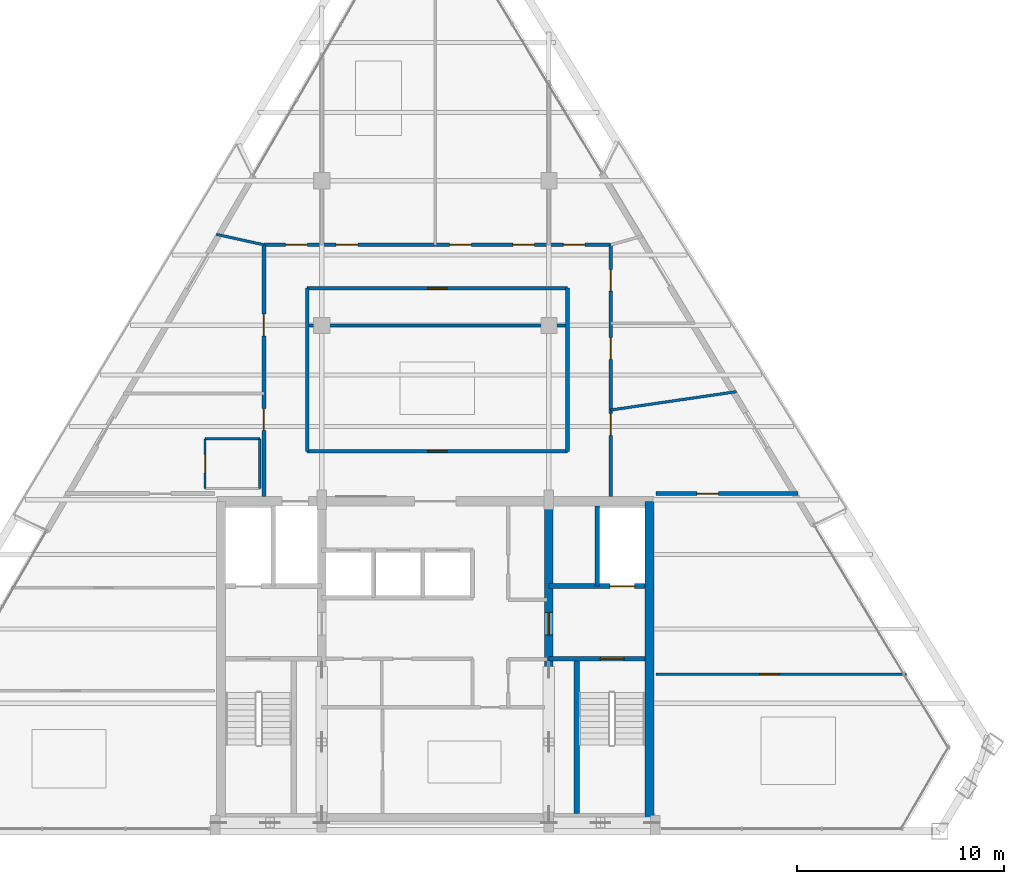
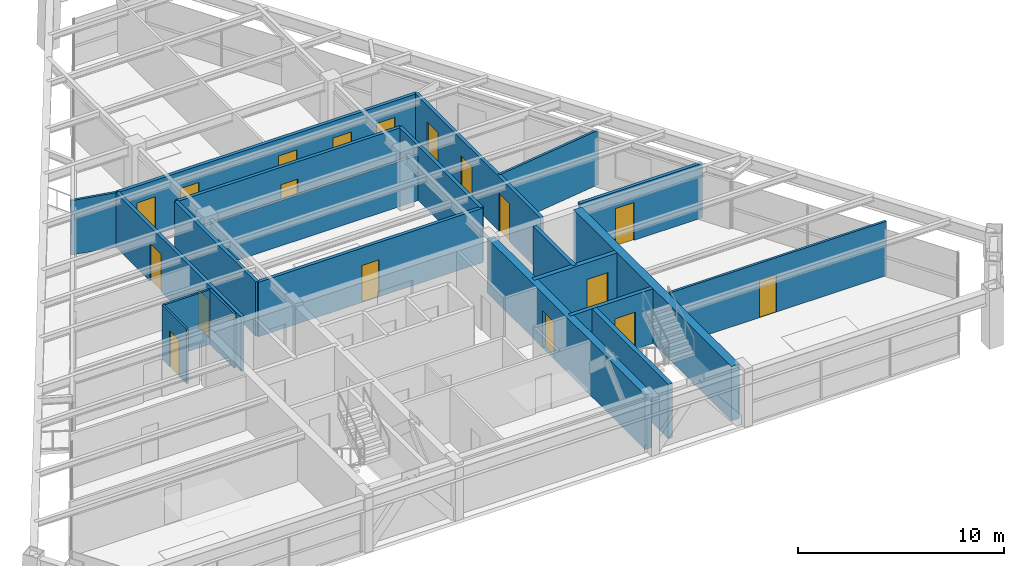
# One storey, part 10 of 13: 21 walls, 18 doors, 18 openings.
"""IFC4 building model written with IfcOpenShell, lengths in metres."""

from ifc_helpers import new_model, si_unit, direction, frame, frame_2d, origin, place, context, subcontext, project, spatial, rectangle, extrude, source, transform, mapped, material, layer, layer_set, type_object, type_shapes, element, fill, save


model = new_model("IFC4")

# Units and contexts
model_context = context("Model", 3, precision=1e-05, world=origin(), true_north=direction((0.0, 1.0)))
body_context = subcontext(model_context, "Body", "Model", "MODEL_VIEW")
ifc_project = project(units=[si_unit("LENGTHUNIT", "METRE"), si_unit("AREAUNIT", "SQUARE_METRE"), si_unit("VOLUMEUNIT", "CUBIC_METRE"), si_unit("PLANEANGLEUNIT", "RADIAN"), si_unit("MASSUNIT", "GRAM", prefix="KILO")], contexts=[model_context])

# Site, building, storey
site_placement = place(None, origin())
site = spatial("IfcSite", under=ifc_project, at=site_placement, CompositionType="ELEMENT")
building_placement = place(site_placement, origin())
building = spatial("IfcBuilding", under=site, at=building_placement, Name="Varnakhor Terracotta Tower", CompositionType="ELEMENT")
storey_placement = place(building_placement, frame((0.0, 0.0, 262.64990234375)))
storey = spatial("IfcBuildingStorey", under=building, at=storey_placement, Name="L68", CompositionType="ELEMENT", Elevation=262.64990234375)

# Wall
ifc_material_1 = material(Name="Moisture-Resistant Tile-Backed Partition", Category="gypsum")
ifc_layer_1 = layer(ifc_material_1, 0.114990234375, Name="Moisture-Resistant Tile-Backed Partition")
ifc_layer_set_1 = layer_set([ifc_layer_1], Name="Moisture-Resistant Tile-Backed Partition")
wall_type_1 = type_object("IfcWallType", Name="WAL-BATH-115", PredefinedType="PARTITIONING", material=ifc_layer_set_1)
wall_1_placement = place(storey_placement, frame((-11.14990234375, 19.0, 0.0), z_axis=(0.0, 0.0, 1.0), x_axis=(1.0, 0.0, 0.0)))
element("IfcWall", 1, at=wall_1_placement, inside=storey, type_object=wall_type_1, Name="L68 En-Suite 1 Wall N", PredefinedType="PARTITIONING", context=body_context, shape_type="SweptSolid", body=[
    extrude(rectangle(XDim=2.64990234375, YDim=0.114990234375, at=frame_2d((1.324951171875, 0.0))), origin(), (0.0, 0.0, 1.0), 3.232177734375),
])

# Wall, opening, door
wall_2_placement = place(storey_placement, frame((-11.14990234375, 16.60009765625, 0.0), z_axis=(0.0, 0.0, 1.0), x_axis=(0.0, 1.0, 0.0)))
wall_2 = element("IfcWall", 2, at=wall_2_placement, inside=storey, type_object=wall_type_1, Name="L68 En-Suite 1 Wall W", PredefinedType="PARTITIONING", context=body_context, shape_type="SweptSolid", body=[
    extrude(rectangle(XDim=2.39990234375, YDim=0.114990234375, at=frame_2d((1.199951171875, 0.0))), origin(), (0.0, 0.0, 1.0), 3.232177734375),
])
opening_1_placement = place(wall_2_placement, frame((0.75, 0.0, 0.0)))
opening_1 = element("IfcOpeningElement", 3, at=opening_1_placement, cuts=wall_2, Name="Opening DR-93", PredefinedType="OPENING", context=body_context, shape_type="SweptSolid", body=[
    extrude(rectangle(XDim=0.89990234375, YDim=2.14990234375, at=frame_2d((0.449951171875, 1.074951171875))), frame((0.0, 0.0673828125, 0.0), z_axis=(0.0, -1.0, 0.0), x_axis=(1.0, 0.0, 0.0)), (0.0, 0.0, 1.0), 0.135009765625),
])
ifc_material_2 = material(Name="Moisture-Resistant Accessible Bathroom Door", Category="wood")
door_type_1 = type_object("IfcDoorType", Name="DR-BATH-900X2150", OperationType="NOTDEFINED", PredefinedType="DOOR", material=ifc_material_2)
shared_shape_1 = source(origin(), body_context, "Body", "SweptSolid", [
    extrude(rectangle(XDim=0.89990234375, YDim=2.14990234375, at=frame_2d((0.449951171875, 1.074951171875))), frame((0.0, 0.02490234375, 0.0), z_axis=(0.0, -1.0, 0.0), x_axis=(1.0, 0.0, 0.0)), (0.0, 0.0, 1.0), 0.050048828125),
])
type_shapes(door_type_1, [shared_shape_1])
door_1_placement = place(opening_1_placement, origin())
door_1 = element("IfcDoor", 4, at=door_1_placement, inside=storey, type_object=door_type_1, Name="L68 En-Suite Bathroom 1 Door", OperationType="SINGLE_SWING_LEFT", OverallHeight=2.14990234375, OverallWidth=0.89990234375, PredefinedType="DOOR", context=body_context, shape_type="MappedRepresentation", body=[
    mapped(shared_shape_1, transform((0.0, 0.0, 0.0), scale=1.0)),
])
fill(opening_1, door_1)

# Walls
wall_3_placement = place(storey_placement, frame((-8.5, 16.60009765625, 0.0), z_axis=(0.0, 0.0, 1.0), x_axis=(0.0, 1.0, 0.0)))
element("IfcWall", 5, at=wall_3_placement, inside=storey, type_object=wall_type_1, Name="L68 En-Suite 1 Wall E", PredefinedType="PARTITIONING", context=body_context, shape_type="SweptSolid", body=[
    extrude(rectangle(XDim=2.39990234375, YDim=0.114990234375, at=frame_2d((1.199951171875, 0.0))), origin(), (0.0, 0.0, 1.0), 3.232177734375),
])
ifc_material_3 = material(Name="Concrete C50/60", Category="concrete")
ifc_layer_2 = layer(ifc_material_3, 0.449951171875, Name="Concrete C50/60")
ifc_layer_set_2 = layer_set([ifc_layer_2], Name="Concrete C50/60")
wall_type_2 = type_object("IfcWallType", Name="WAL-CORE-450", PredefinedType="SHEAR", material=ifc_layer_set_2)
wall_4_placement = place(storey_placement, frame((10.375, 0.625, 0.0), z_axis=(0.0, 0.0, 1.0), x_axis=(0.0, 1.0, 0.0)))
element("IfcWall", 6, at=wall_4_placement, inside=storey, type_object=wall_type_2, Name="L68 East Core Shear Wall", PredefinedType="SHEAR", context=body_context, shape_type="SweptSolid", body=[
    extrude(rectangle(XDim=15.35009765625, YDim=0.449951171875, at=frame_2d((7.675048828125, 0.0))), origin(), (0.0, 0.0, 1.0), 3.239990234375),
])

# Wall, opening, door
ifc_layer_3 = layer(ifc_material_3, 0.39990234375, Name="Concrete C50/60")
ifc_layer_set_3 = layer_set([ifc_layer_3], Name="Concrete C50/60")
wall_type_3 = type_object("IfcWallType", Name="WAL-CORE-WEB-400", PredefinedType="SHEAR", material=ifc_layer_set_3)
wall_5_placement = place(storey_placement, frame((5.5, 0.625, 0.0), z_axis=(0.0, 0.0, 1.0), x_axis=(0.0, 1.0, 0.0)))
wall_5 = element("IfcWall", 7, at=wall_5_placement, inside=storey, type_object=wall_type_3, Name="L68 East Core Web Shear Wall", PredefinedType="SHEAR", context=body_context, shape_type="SweptSolid", body=[
    extrude(rectangle(XDim=15.35009765625, YDim=0.39990234375, at=frame_2d((7.675048828125, 0.0))), origin(), (0.0, 0.0, 1.0), 3.239990234375),
])
opening_2_placement = place(wall_5_placement, frame((8.875, 0.0, 0.0)))
opening_2 = element("IfcOpeningElement", 8, at=opening_2_placement, cuts=wall_5, Name="Opening DR-25", PredefinedType="OPENING", context=body_context, shape_type="SweptSolid", body=[
    extrude(rectangle(XDim=1.10009765625, YDim=2.199951171875, at=frame_2d((0.550048828125, 1.10009765625))), frame((0.0, 0.2099609375, 0.0), z_axis=(0.0, -1.0, 0.0), x_axis=(1.0, 0.0, 0.0)), (0.0, 0.0, 1.0), 0.419921875),
])
ifc_material_4 = material(Name="Firefighting Lobby Self-Closing Fire Door", Category="steel")
door_type_2 = type_object("IfcDoorType", Name="DR-FFL-1100X2200", OperationType="NOTDEFINED", PredefinedType="DOOR", material=ifc_material_4)
shared_shape_2 = source(origin(), body_context, "Body", "SweptSolid", [
    extrude(rectangle(XDim=1.10009765625, YDim=2.199951171875, at=frame_2d((0.550048828125, 1.10009765625))), frame((0.0, 0.02490234375, 0.0), z_axis=(0.0, -1.0, 0.0), x_axis=(1.0, 0.0, 0.0)), (0.0, 0.0, 1.0), 0.050048828125),
])
type_shapes(door_type_2, [shared_shape_2])
door_2_placement = place(opening_2_placement, origin())
door_2 = element("IfcDoor", 9, at=door_2_placement, inside=storey, type_object=door_type_2, Name="L68 East Firefighting Lobby Door", OperationType="SINGLE_SWING_RIGHT", OverallHeight=2.199951171875, OverallWidth=1.10009765625, PredefinedType="DOOR", context=body_context, shape_type="MappedRepresentation", body=[
    mapped(shared_shape_2, transform((0.0, 0.0, 0.0), scale=1.0)),
])
fill(opening_2, door_2)

ifc_material_5 = material(Name="Fire-Rated Gypsum Stud Partition", Category="gypsum")
ifc_layer_4 = layer(ifc_material_5, 0.18505859375, Name="Fire-Rated Gypsum Stud Partition")
ifc_layer_set_4 = layer_set([ifc_layer_4], Name="Fire-Rated Gypsum Stud Partition")
wall_type_4 = type_object("IfcWallType", Name="WAL-CORR-185", PredefinedType="PARTITIONING", material=ifc_layer_set_4)
wall_6_placement = place(storey_placement, frame((-6.199951171875, 18.39990234375, 0.0), z_axis=(0.0, 0.0, 1.0), x_axis=(1.0, 0.0, 0.0)))
wall_6 = element("IfcWall", 10, at=wall_6_placement, inside=storey, type_object=wall_type_4, Name="L68 Ring Inner South Wall", PredefinedType="PARTITIONING", context=body_context, shape_type="SweptSolid", body=[
    extrude(rectangle(XDim=12.599853515625, YDim=0.18505859375, at=frame_2d((6.2998046875, 0.0))), origin(), (0.0, 0.0, 1.0), 3.232177734375),
])
opening_3_placement = place(wall_6_placement, frame((5.824951171875, 0.0, 0.0)))
opening_3 = element("IfcOpeningElement", 11, at=opening_3_placement, cuts=wall_6, Name="Opening DR-94", PredefinedType="OPENING", context=body_context, shape_type="SweptSolid", body=[
    extrude(rectangle(XDim=0.949951171875, YDim=2.199951171875, at=frame_2d((0.47509765625, 1.10009765625))), frame((0.0, 0.1025390625, 0.0), z_axis=(0.0, -1.0, 0.0), x_axis=(1.0, 0.0, 0.0)), (0.0, 0.0, 1.0), 0.205078125),
])
ifc_material_6 = material(Name="Acoustic Glazed-Vision Timber Office Door", Category="wood")
door_type_3 = type_object("IfcDoorType", Name="DR-OFF-950X2200", OperationType="NOTDEFINED", PredefinedType="DOOR", material=ifc_material_6)
shared_shape_3 = source(origin(), body_context, "Body", "SweptSolid", [
    extrude(rectangle(XDim=0.949951171875, YDim=2.199951171875, at=frame_2d((0.47509765625, 1.10009765625))), frame((0.0, 0.02490234375, 0.0), z_axis=(0.0, -1.0, 0.0), x_axis=(1.0, 0.0, 0.0)), (0.0, 0.0, 1.0), 0.050048828125),
])
type_shapes(door_type_3, [shared_shape_3])
door_3_placement = place(opening_3_placement, origin())
door_3 = element("IfcDoor", 12, at=door_3_placement, inside=storey, type_object=door_type_3, Name="L68 Housekeeping Station Door", OperationType="SINGLE_SWING_LEFT", OverallHeight=2.199951171875, OverallWidth=0.949951171875, PredefinedType="DOOR", context=body_context, shape_type="MappedRepresentation", body=[
    mapped(shared_shape_3, transform((0.0, 0.0, 0.0), scale=1.0)),
])
fill(opening_3, door_3)

wall_7_placement = place(storey_placement, frame((-6.199951171875, 26.300048828125, 0.0), z_axis=(0.0, 0.0, 1.0), x_axis=(1.0, 0.0, 0.0)))
wall_7 = element("IfcWall", 13, at=wall_7_placement, inside=storey, type_object=wall_type_4, Name="L68 Ring Inner North Wall", PredefinedType="PARTITIONING", context=body_context, shape_type="SweptSolid", body=[
    extrude(rectangle(XDim=12.599853515625, YDim=0.18505859375, at=frame_2d((6.2998046875, 0.0))), origin(), (0.0, 0.0, 1.0), 3.232177734375),
])
opening_4_placement = place(wall_7_placement, frame((5.824951171875, 0.0, 0.0)))
opening_4 = element("IfcOpeningElement", 14, at=opening_4_placement, cuts=wall_7, Name="Opening DR-94", PredefinedType="OPENING", context=body_context, shape_type="SweptSolid", body=[
    extrude(rectangle(XDim=0.949951171875, YDim=2.199951171875, at=frame_2d((0.47509765625, 1.10009765625))), frame((0.0, 0.1025390625, 0.0), z_axis=(0.0, -1.0, 0.0), x_axis=(1.0, 0.0, 0.0)), (0.0, 0.0, 1.0), 0.205078125),
])
door_4_placement = place(opening_4_placement, origin())
door_4 = element("IfcDoor", 15, at=door_4_placement, inside=storey, type_object=door_type_3, Name="L68 Inner Service Door", OperationType="SINGLE_SWING_RIGHT", OverallHeight=2.199951171875, OverallWidth=0.949951171875, PredefinedType="DOOR", context=body_context, shape_type="MappedRepresentation", body=[
    mapped(shared_shape_3, transform((0.0, 0.0, 0.0), scale=1.0)),
])
fill(opening_4, door_4)

# Walls
for number, where, z_axis, x_axis, name in (
    (16, (-6.199951171875, 18.39990234375, 0.0), (0.0, 0.0, 1.0), (0.0, 1.0, 0.0), "L68 Ring Inner West Wall"),
    (17, (6.39990234375, 18.39990234375, 0.0), (0.0, 0.0, 1.0), (0.0, 1.0, 0.0), "L68 Ring Inner East Wall"),
):
    element("IfcWall", number, at=place(storey_placement, frame(where, z_axis=z_axis, x_axis=x_axis)), inside=storey, type_object=wall_type_4, Name=name, PredefinedType="PARTITIONING", context=body_context, shape_type="SweptSolid", body=[
        extrude(rectangle(XDim=7.900146484375, YDim=0.18505859375, at=frame_2d((3.9501953125, 0.0))), origin(), (0.0, 0.0, 1.0), 3.232177734375),
    ])

# Wall, openings, doors
wall_8_placement = place(storey_placement, frame((-8.300048828125, 16.199951171875, 0.0), z_axis=(0.0, 0.0, 1.0), x_axis=(0.0, 1.0, 0.0)))
wall_8 = element("IfcWall", 18, at=wall_8_placement, inside=storey, type_object=wall_type_4, Name="L68 Hotel West Corridor Wall", PredefinedType="PARTITIONING", context=body_context, shape_type="SweptSolid", body=[
    extrude(rectangle(XDim=12.199951171875, YDim=0.18505859375, at=frame_2d((6.10009765625, 0.0))), origin(), (0.0, 0.0, 1.0), 3.232177734375),
])
opening_5_placement = place(wall_8_placement, frame((3.21435546875, 0.0, 0.0)))
opening_5 = element("IfcOpeningElement", 19, at=opening_5_placement, cuts=wall_8, Name="Opening DR-95", PredefinedType="OPENING", context=body_context, shape_type="SweptSolid", body=[
    extrude(rectangle(XDim=1.050048828125, YDim=2.25, at=frame_2d((0.52490234375, 1.125))), frame((0.0, 0.1025390625, 0.0), z_axis=(0.0, -1.0, 0.0), x_axis=(1.0, 0.0, 0.0)), (0.0, 0.0, 1.0), 0.205078125),
])
opening_6_placement = place(wall_8_placement, frame((7.7939453125, 0.0, 0.0)))
opening_6 = element("IfcOpeningElement", 20, at=opening_6_placement, cuts=wall_8, Name="Opening DR-95", PredefinedType="OPENING", context=body_context, shape_type="SweptSolid", body=[
    extrude(rectangle(XDim=1.050048828125, YDim=2.25, at=frame_2d((0.52490234375, 1.125))), frame((0.0, 0.1025390625, 0.0), z_axis=(0.0, -1.0, 0.0), x_axis=(1.0, 0.0, 0.0)), (0.0, 0.0, 1.0), 0.205078125),
])
ifc_material_7 = material(Name="Solid-Core Timber Tenant/Hotel Entrance Door", Category="wood")
door_type_4 = type_object("IfcDoorType", Name="DR-SUITE-1050X2250", OperationType="NOTDEFINED", PredefinedType="DOOR", material=ifc_material_7)
shared_shape_4 = source(origin(), body_context, "Body", "SweptSolid", [
    extrude(rectangle(XDim=1.050048828125, YDim=2.25, at=frame_2d((0.52490234375, 1.125))), frame((0.0, 0.02490234375, 0.0), z_axis=(0.0, -1.0, 0.0), x_axis=(1.0, 0.0, 0.0)), (0.0, 0.0, 1.0), 0.050048828125),
])
type_shapes(door_type_4, [shared_shape_4])
door_5_placement = place(opening_5_placement, origin())
door_5 = element("IfcDoor", 21, at=door_5_placement, inside=storey, type_object=door_type_4, Name="L68 West Room 1 Entry Door", OperationType="SINGLE_SWING_RIGHT", OverallHeight=2.25, OverallWidth=1.050048828125, PredefinedType="DOOR", context=body_context, shape_type="MappedRepresentation", body=[
    mapped(shared_shape_4, transform((0.0, 0.0, 0.0), scale=1.0)),
])
fill(opening_5, door_5)
door_6_placement = place(opening_6_placement, origin())
door_6 = element("IfcDoor", 22, at=door_6_placement, inside=storey, type_object=door_type_4, Name="L68 West Room 2 Entry Door", OperationType="SINGLE_SWING_RIGHT", OverallHeight=2.25, OverallWidth=1.050048828125, PredefinedType="DOOR", context=body_context, shape_type="MappedRepresentation", body=[
    mapped(shared_shape_4, transform((0.0, 0.0, 0.0), scale=1.0)),
])
fill(opening_6, door_6)

wall_9_placement = place(storey_placement, frame((8.5, 16.199951171875, 0.0), z_axis=(0.0, 0.0, 1.0), x_axis=(0.0, 1.0, 0.0)))
wall_9 = element("IfcWall", 23, at=wall_9_placement, inside=storey, type_object=wall_type_4, Name="L68 Hotel East Corridor Wall", PredefinedType="PARTITIONING", context=body_context, shape_type="SweptSolid", body=[
    extrude(rectangle(XDim=12.199951171875, YDim=0.18505859375, at=frame_2d((6.10009765625, 0.0))), origin(), (0.0, 0.0, 1.0), 3.232177734375),
])
opening_7_placement = place(wall_9_placement, frame((2.978271484375, 0.0, 0.0)))
opening_7 = element("IfcOpeningElement", 24, at=opening_7_placement, cuts=wall_9, Name="Opening DR-95", PredefinedType="OPENING", context=body_context, shape_type="SweptSolid", body=[
    extrude(rectangle(XDim=1.050048828125, YDim=2.25, at=frame_2d((0.52490234375, 1.125))), frame((0.0, 0.1025390625, 0.0), z_axis=(0.0, -1.0, 0.0), x_axis=(1.0, 0.0, 0.0)), (0.0, 0.0, 1.0), 0.205078125),
])
opening_8_placement = place(wall_9_placement, frame((6.652587890625, 0.0, 0.0)))
opening_8 = element("IfcOpeningElement", 25, at=opening_8_placement, cuts=wall_9, Name="Opening DR-95", PredefinedType="OPENING", context=body_context, shape_type="SweptSolid", body=[
    extrude(rectangle(XDim=1.050048828125, YDim=2.25, at=frame_2d((0.52490234375, 1.125))), frame((0.0, 0.1025390625, 0.0), z_axis=(0.0, -1.0, 0.0), x_axis=(1.0, 0.0, 0.0)), (0.0, 0.0, 1.0), 0.205078125),
])
opening_9_placement = place(wall_9_placement, frame((9.95263671875, 0.0, 0.0)))
opening_9 = element("IfcOpeningElement", 26, at=opening_9_placement, cuts=wall_9, Name="Opening DR-95", PredefinedType="OPENING", context=body_context, shape_type="SweptSolid", body=[
    extrude(rectangle(XDim=1.050048828125, YDim=2.25, at=frame_2d((0.52490234375, 1.125))), frame((0.0, 0.1025390625, 0.0), z_axis=(0.0, -1.0, 0.0), x_axis=(1.0, 0.0, 0.0)), (0.0, 0.0, 1.0), 0.205078125),
])
door_7_placement = place(opening_7_placement, origin())
door_7 = element("IfcDoor", 27, at=door_7_placement, inside=storey, type_object=door_type_4, Name="L68 East Room 1 Entry Door", OperationType="SINGLE_SWING_LEFT", OverallHeight=2.25, OverallWidth=1.050048828125, PredefinedType="DOOR", context=body_context, shape_type="MappedRepresentation", body=[
    mapped(shared_shape_4, transform((0.0, 0.0, 0.0), scale=1.0)),
])
fill(opening_7, door_7)
door_8_placement = place(opening_8_placement, origin())
door_8 = element("IfcDoor", 28, at=door_8_placement, inside=storey, type_object=door_type_4, Name="L68 East Room 2 Entry Door", OperationType="SINGLE_SWING_RIGHT", OverallHeight=2.25, OverallWidth=1.050048828125, PredefinedType="DOOR", context=body_context, shape_type="MappedRepresentation", body=[
    mapped(shared_shape_4, transform((0.0, 0.0, 0.0), scale=1.0)),
])
fill(opening_8, door_8)
door_9_placement = place(opening_9_placement, origin())
door_9 = element("IfcDoor", 29, at=door_9_placement, inside=storey, type_object=door_type_4, Name="L68 East Room 3 Entry Door", OperationType="SINGLE_SWING_LEFT", OverallHeight=2.25, OverallWidth=1.050048828125, PredefinedType="DOOR", context=body_context, shape_type="MappedRepresentation", body=[
    mapped(shared_shape_4, transform((0.0, 0.0, 0.0), scale=1.0)),
])
fill(opening_9, door_9)

wall_10_placement = place(storey_placement, frame((-8.300048828125, 28.39990234375, 0.0), z_axis=(0.0, 0.0, 1.0), x_axis=(1.0, 0.0, 0.0)))
wall_10 = element("IfcWall", 30, at=wall_10_placement, inside=storey, type_object=wall_type_4, Name="L68 Hotel North Corridor Wall", PredefinedType="PARTITIONING", context=body_context, shape_type="SweptSolid", body=[
    extrude(rectangle(XDim=16.800048828125, YDim=0.18505859375, at=frame_2d((8.39990234375, 0.0))), origin(), (0.0, 0.0, 1.0), 3.232177734375),
])
opening_10_placement = place(wall_10_placement, frame((3.49755859375, 0.0, 0.0)))
opening_10 = element("IfcOpeningElement", 31, at=opening_10_placement, cuts=wall_10, Name="Opening DR-95", PredefinedType="OPENING", context=body_context, shape_type="SweptSolid", body=[
    extrude(rectangle(XDim=1.050048828125, YDim=2.25, at=frame_2d((0.52490234375, 1.125))), frame((0.0, 0.1025390625, 0.0), z_axis=(0.0, -1.0, 0.0), x_axis=(1.0, 0.0, 0.0)), (0.0, 0.0, 1.0), 0.205078125),
])
opening_11_placement = place(wall_10_placement, frame((8.99755859375, 0.0, 0.0)))
opening_11 = element("IfcOpeningElement", 32, at=opening_11_placement, cuts=wall_10, Name="Opening DR-95", PredefinedType="OPENING", context=body_context, shape_type="SweptSolid", body=[
    extrude(rectangle(XDim=1.050048828125, YDim=2.25, at=frame_2d((0.52490234375, 1.125))), frame((0.0, 0.1025390625, 0.0), z_axis=(0.0, -1.0, 0.0), x_axis=(1.0, 0.0, 0.0)), (0.0, 0.0, 1.0), 0.205078125),
])
opening_12_placement = place(wall_10_placement, frame((12.052490234375, 0.0, 0.0)))
opening_12 = element("IfcOpeningElement", 33, at=opening_12_placement, cuts=wall_10, Name="Opening DR-95", PredefinedType="OPENING", context=body_context, shape_type="SweptSolid", body=[
    extrude(rectangle(XDim=1.050048828125, YDim=2.25, at=frame_2d((0.52490234375, 1.125))), frame((0.0, 0.1025390625, 0.0), z_axis=(0.0, -1.0, 0.0), x_axis=(1.0, 0.0, 0.0)), (0.0, 0.0, 1.0), 0.205078125),
])
opening_13_placement = place(wall_10_placement, frame((14.49755859375, 0.0, 0.0)))
opening_13 = element("IfcOpeningElement", 34, at=opening_13_placement, cuts=wall_10, Name="Opening DR-95", PredefinedType="OPENING", context=body_context, shape_type="SweptSolid", body=[
    extrude(rectangle(XDim=1.050048828125, YDim=2.25, at=frame_2d((0.52490234375, 1.125))), frame((0.0, 0.1025390625, 0.0), z_axis=(0.0, -1.0, 0.0), x_axis=(1.0, 0.0, 0.0)), (0.0, 0.0, 1.0), 0.205078125),
])
opening_14_placement = place(wall_10_placement, frame((1.052490234375, 0.0, 0.0)))
opening_14 = element("IfcOpeningElement", 35, at=opening_14_placement, cuts=wall_10, Name="Opening DR-95", PredefinedType="OPENING", context=body_context, shape_type="SweptSolid", body=[
    extrude(rectangle(XDim=1.050048828125, YDim=2.25, at=frame_2d((0.52490234375, 1.125))), frame((0.0, 0.1025390625, 0.0), z_axis=(0.0, -1.0, 0.0), x_axis=(1.0, 0.0, 0.0)), (0.0, 0.0, 1.0), 0.205078125),
])
door_10_placement = place(opening_10_placement, origin())
door_10 = element("IfcDoor", 36, at=door_10_placement, inside=storey, type_object=door_type_4, Name="L68 North Suite 1 Entry Door", OperationType="SINGLE_SWING_RIGHT", OverallHeight=2.25, OverallWidth=1.050048828125, PredefinedType="DOOR", context=body_context, shape_type="MappedRepresentation", body=[
    mapped(shared_shape_4, transform((0.0, 0.0, 0.0), scale=1.0)),
])
fill(opening_10, door_10)
door_11_placement = place(opening_11_placement, origin())
door_11 = element("IfcDoor", 37, at=door_11_placement, inside=storey, type_object=door_type_4, Name="L68 North Suite 2 Entry Door", OperationType="SINGLE_SWING_LEFT", OverallHeight=2.25, OverallWidth=1.050048828125, PredefinedType="DOOR", context=body_context, shape_type="MappedRepresentation", body=[
    mapped(shared_shape_4, transform((0.0, 0.0, 0.0), scale=1.0)),
])
fill(opening_11, door_11)
door_12_placement = place(opening_12_placement, origin())
door_12 = element("IfcDoor", 38, at=door_12_placement, inside=storey, type_object=door_type_4, Name="L68 North Suite 3 Entry Door", OperationType="SINGLE_SWING_RIGHT", OverallHeight=2.25, OverallWidth=1.050048828125, PredefinedType="DOOR", context=body_context, shape_type="MappedRepresentation", body=[
    mapped(shared_shape_4, transform((0.0, 0.0, 0.0), scale=1.0)),
])
fill(opening_12, door_12)
door_13_placement = place(opening_13_placement, origin())
door_13 = element("IfcDoor", 39, at=door_13_placement, inside=storey, type_object=door_type_4, Name="L68 Press Office NE Door", OperationType="SINGLE_SWING_LEFT", OverallHeight=2.25, OverallWidth=1.050048828125, PredefinedType="DOOR", context=body_context, shape_type="MappedRepresentation", body=[
    mapped(shared_shape_4, transform((0.0, 0.0, 0.0), scale=1.0)),
])
fill(opening_13, door_13)
door_14_placement = place(opening_14_placement, origin())
door_14 = element("IfcDoor", 40, at=door_14_placement, inside=storey, type_object=door_type_4, Name="L68 Press Office NW Door", OperationType="SINGLE_SWING_RIGHT", OverallHeight=2.25, OverallWidth=1.050048828125, PredefinedType="DOOR", context=body_context, shape_type="MappedRepresentation", body=[
    mapped(shared_shape_4, transform((0.0, 0.0, 0.0), scale=1.0)),
])
fill(opening_14, door_14)

# Wall, opening, door
wall_11_placement = place(storey_placement, frame((10.679931640625, 16.35009765625, 0.0), z_axis=(0.0, 0.0, 1.0), x_axis=(1.0, 0.0, 0.0)))
wall_11 = element("IfcWall", 41, at=wall_11_placement, inside=storey, type_object=wall_type_4, Name="L68 South East Guest Entry Wall", PredefinedType="PARTITIONING", context=body_context, shape_type="SweptSolid", body=[
    extrude(rectangle(XDim=6.873779296875, YDim=0.18505859375, at=frame_2d((3.43701171875, 0.0))), origin(), (0.0, 0.0, 1.0), 3.232177734375),
])
opening_15_placement = place(wall_11_placement, frame((1.98291015625, 0.0, 0.0)))
opening_15 = element("IfcOpeningElement", 42, at=opening_15_placement, cuts=wall_11, Name="Opening DR-95", PredefinedType="OPENING", context=body_context, shape_type="SweptSolid", body=[
    extrude(rectangle(XDim=1.050048828125, YDim=2.25, at=frame_2d((0.52490234375, 1.125))), frame((0.0, 0.1025390625, 0.0), z_axis=(0.0, -1.0, 0.0), x_axis=(1.0, 0.0, 0.0)), (0.0, 0.0, 1.0), 0.205078125),
])
door_15_placement = place(opening_15_placement, origin())
door_15 = element("IfcDoor", 43, at=door_15_placement, inside=storey, type_object=door_type_4, Name="L68 SE Suite Entry Door", OperationType="SINGLE_SWING_RIGHT", OverallHeight=2.25, OverallWidth=1.050048828125, PredefinedType="DOOR", context=body_context, shape_type="MappedRepresentation", body=[
    mapped(shared_shape_4, transform((0.0, 0.0, 0.0), scale=1.0)),
])
fill(opening_15, door_15)

ifc_material_8 = material(Name="Concrete C40/50", Category="concrete")
ifc_layer_5 = layer(ifc_material_8, 0.219970703125, Name="Concrete C40/50")
ifc_layer_set_5 = layer_set([ifc_layer_5], Name="Concrete C40/50")
wall_type_5 = type_object("IfcWallType", Name="WAL-FFLOBBY-220", PredefinedType="SOLIDWALL", material=ifc_layer_set_5)
wall_12_placement = place(storey_placement, frame((10.14990234375, 8.35009765625, 0.0), z_axis=(0.0, 0.0, 1.0), x_axis=(-1.0, 0.0, 0.0)))
wall_12 = element("IfcWall", 44, at=wall_12_placement, inside=storey, type_object=wall_type_5, Name="L68 East Firefighting Lobby Stair Wall", PredefinedType="SOLIDWALL", context=body_context, shape_type="SweptSolid", body=[
    extrude(rectangle(XDim=4.64990234375, YDim=0.219970703125, at=frame_2d((2.324951171875, 0.0))), origin(), (0.0, 0.0, 1.0), 3.239990234375),
])
opening_16_placement = place(wall_12_placement, frame((1.0, 0.0, 0.0)))
opening_16 = element("IfcOpeningElement", 45, at=opening_16_placement, cuts=wall_12, Name="Opening DR-34", PredefinedType="OPENING", context=body_context, shape_type="SweptSolid", body=[
    extrude(rectangle(XDim=1.14990234375, YDim=2.199951171875, at=frame_2d((0.574951171875, 1.10009765625))), frame((0.0, 0.1201171875, 0.0), z_axis=(0.0, -1.0, 0.0), x_axis=(1.0, 0.0, 0.0)), (0.0, 0.0, 1.0), 0.239990234375),
])
ifc_material_9 = material(Name="Self-Closing Smoke-Sealed Steel Fire Door", Category="steel")
door_type_5 = type_object("IfcDoorType", Name="DR-STAIR-1150X2200", OperationType="NOTDEFINED", PredefinedType="DOOR", material=ifc_material_9)
shared_shape_5 = source(origin(), body_context, "Body", "SweptSolid", [
    extrude(rectangle(XDim=1.14990234375, YDim=2.199951171875, at=frame_2d((0.574951171875, 1.10009765625))), frame((0.0, 0.02490234375, 0.0), z_axis=(0.0, -1.0, 0.0), x_axis=(1.0, 0.0, 0.0)), (0.0, 0.0, 1.0), 0.050048828125),
])
type_shapes(door_type_5, [shared_shape_5])
door_16_placement = place(opening_16_placement, origin())
door_16 = element("IfcDoor", 46, at=door_16_placement, inside=storey, type_object=door_type_5, Name="L68 Exit Stair ST-2 Fire Door", OperationType="SINGLE_SWING_LEFT", OverallHeight=2.199951171875, OverallWidth=1.14990234375, PredefinedType="DOOR", context=body_context, shape_type="MappedRepresentation", body=[
    mapped(shared_shape_5, transform((0.0, 0.0, 0.0), scale=1.0)),
])
fill(opening_16, door_16)

# Wall
ifc_material_10 = material(Name="Acoustic Hotel Room Partition", Category="gypsum")
ifc_layer_6 = layer(ifc_material_10, 0.1298828125, Name="Acoustic Hotel Room Partition")
ifc_layer_set_6 = layer_set([ifc_layer_6], Name="Acoustic Hotel Room Partition")
wall_type_6 = type_object("IfcWallType", Name="WAL-PART-130", PredefinedType="PARTITIONING", material=ifc_layer_set_6)
wall_13_placement = place(storey_placement, frame((-10.606201171875, 28.90869140625, 0.0), z_axis=(0.0, 0.0, 1.0), x_axis=(0.976516737467, -0.215441549956, 0.0)))
element("IfcWall", 47, at=wall_13_placement, inside=storey, type_object=wall_type_6, Name="L68 North West Suite South Wall", PredefinedType="PARTITIONING", context=body_context, shape_type="SweptSolid", body=[
    extrude(rectangle(XDim=2.361572265625, YDim=0.1298828125, at=frame_2d((1.1806640625, 0.0))), origin(), (0.0, 0.0, 1.0), 3.232177734375),
])

# Wall, opening, door
wall_14_placement = place(storey_placement, frame((10.679931640625, 7.60009765625, 0.0), z_axis=(0.0, 0.0, 1.0), x_axis=(1.0, 0.0, 0.0)))
wall_14 = element("IfcWall", 48, at=wall_14_placement, inside=storey, type_object=wall_type_6, Name="L68 SE Key Split 1", PredefinedType="PARTITIONING", context=body_context, shape_type="SweptSolid", body=[
    extrude(rectangle(XDim=12.1474609375, YDim=0.1298828125, at=frame_2d((6.07373046875, 0.0))), origin(), (0.0, 0.0, 1.0), 3.232177734375),
])
opening_17_placement = place(wall_14_placement, frame((5.025390625, 0.0, 0.0)))
opening_17 = element("IfcOpeningElement", 49, at=opening_17_placement, cuts=wall_14, Name="Opening DR-94", PredefinedType="OPENING", context=body_context, shape_type="SweptSolid", body=[
    extrude(rectangle(XDim=0.949951171875, YDim=2.199951171875, at=frame_2d((0.47509765625, 1.10009765625))), frame((0.0, 0.074951171875, 0.0), z_axis=(0.0, -1.0, 0.0), x_axis=(1.0, 0.0, 0.0)), (0.0, 0.0, 1.0), 0.14990234375),
])
door_17_placement = place(opening_17_placement, origin())
door_17 = element("IfcDoor", 50, at=door_17_placement, inside=storey, type_object=door_type_3, Name="L68 SE Suite Connect Door 1", OperationType="SINGLE_SWING_LEFT", OverallHeight=2.199951171875, OverallWidth=0.949951171875, PredefinedType="DOOR", context=body_context, shape_type="MappedRepresentation", body=[
    mapped(shared_shape_3, transform((0.0, 0.0, 0.0), scale=1.0)),
])
fill(opening_17, door_17)

# Walls
wall_15_placement = place(storey_placement, frame((8.5, 20.39990234375, 0.0), z_axis=(0.0, 0.0, 1.0), x_axis=(0.989507543015, 0.144481217869, 0.0)))
element("IfcWall", 51, at=wall_15_placement, inside=storey, type_object=wall_type_6, Name="L68 East Key Cut 1", PredefinedType="PARTITIONING", context=body_context, shape_type="SweptSolid", body=[
    extrude(rectangle(XDim=6.142333984375, YDim=0.1298828125, at=frame_2d((3.0712890625, 0.0))), origin(), (0.0, 0.0, 1.0), 3.232177734375),
])
ifc_material_11 = material(Name="Acoustic Metal-Stud Partition", Category="gypsum")
ifc_layer_7 = layer(ifc_material_11, 0.139892578125, Name="Acoustic Metal-Stud Partition")
ifc_layer_set_7 = layer_set([ifc_layer_7], Name="Acoustic Metal-Stud Partition")
wall_type_7 = type_object("IfcWallType", Name="WAL-PART-140", PredefinedType="PARTITIONING", material=ifc_layer_set_7)
wall_16_placement = place(storey_placement, frame((-6.199951171875, 24.5, 0.0), z_axis=(0.0, 0.0, 1.0), x_axis=(1.0, 0.0, 0.0)))
element("IfcWall", 52, at=wall_16_placement, inside=storey, type_object=wall_type_7, Name="L68 Inner Service Split", PredefinedType="PARTITIONING", context=body_context, shape_type="SweptSolid", body=[
    extrude(rectangle(XDim=12.599853515625, YDim=0.139892578125, at=frame_2d((6.2998046875, 0.0))), origin(), (0.0, 0.0, 1.0), 2.68310546875),
])
ifc_layer_8 = layer(ifc_material_8, 0.219970703125, Name="Concrete C40/50")
ifc_layer_set_8 = layer_set([ifc_layer_8], Name="Concrete C40/50")
wall_type_8 = type_object("IfcWallType", Name="WAL-SHAFT-220", PredefinedType="SOLIDWALL", material=ifc_layer_set_8)
wall_17_placement = place(storey_placement, frame((7.840087890625, 11.8701171875, 0.0), z_axis=(0.0, 0.0, 1.0), x_axis=(0.0, 1.0, 0.0)))
element("IfcWall", 53, at=wall_17_placement, inside=storey, type_object=wall_type_8, Name="L68 Lift FFL-2 and Riser Divider Wall", PredefinedType="SOLIDWALL", context=body_context, shape_type="SweptSolid", body=[
    extrude(rectangle(XDim=3.8798828125, YDim=0.219970703125, at=frame_2d((1.93994140625, 0.0))), origin(), (0.0, 0.0, 1.0), 3.239990234375),
])
ifc_layer_9 = layer(ifc_material_8, 0.25, Name="Concrete C40/50")
ifc_layer_set_9 = layer_set([ifc_layer_9], Name="Concrete C40/50")
wall_type_9 = type_object("IfcWallType", Name="WAL-SHAFT-250", PredefinedType="SOLIDWALL", material=ifc_layer_set_9)
wall_18_placement = place(storey_placement, frame((6.85009765625, 0.85009765625, 0.0), z_axis=(0.0, 0.0, 1.0), x_axis=(0.0, 1.0, 0.0)))
element("IfcWall", 54, at=wall_18_placement, inside=storey, type_object=wall_type_9, Name="L68 Stair ST-2 Bearing Shaft Wall", PredefinedType="SOLIDWALL", context=body_context, shape_type="SweptSolid", body=[
    extrude(rectangle(XDim=7.5, YDim=0.25, at=frame_2d((3.75, 0.0))), origin(), (0.0, 0.0, 1.0), 3.239990234375),
])

# Wall, opening, door
wall_19_placement = place(storey_placement, frame((10.14990234375, 11.8701171875, 0.0), z_axis=(0.0, 0.0, 1.0), x_axis=(-1.0, 0.0, 0.0)))
wall_19 = element("IfcWall", 55, at=wall_19_placement, inside=storey, type_object=wall_type_9, Name="L68 Lift FFL-2 Shaft Front Wall", PredefinedType="SOLIDWALL", context=body_context, shape_type="SweptSolid", body=[
    extrude(rectangle(XDim=4.64990234375, YDim=0.25, at=frame_2d((2.324951171875, 0.0))), origin(), (0.0, 0.0, 1.0), 3.239990234375),
])
opening_18_placement = place(wall_19_placement, frame((0.5, 0.0, 0.0)))
opening_18 = element("IfcOpeningElement", 56, at=opening_18_placement, cuts=wall_19, Name="Opening LD-02", PredefinedType="OPENING", context=body_context, shape_type="SweptSolid", body=[
    extrude(rectangle(XDim=1.199951171875, YDim=2.25, at=frame_2d((0.60009765625, 1.125))), frame((0.0, 0.135009765625, 0.0), z_axis=(0.0, -1.0, 0.0), x_axis=(1.0, 0.0, 0.0)), (0.0, 0.0, 1.0), 0.27001953125),
])
ifc_material_12 = material(Name="Firefighting Stretcher Sliding Lift Landing Door", Category="steel")
door_type_6 = type_object("IfcDoorType", Name="LD-FFL-1200X2250", OperationType="NOTDEFINED", PredefinedType="DOOR", material=ifc_material_12)
shared_shape_6 = source(origin(), body_context, "Body", "SweptSolid", [
    extrude(rectangle(XDim=1.199951171875, YDim=2.25, at=frame_2d((0.60009765625, 1.125))), frame((0.0, 0.02490234375, 0.0), z_axis=(0.0, -1.0, 0.0), x_axis=(1.0, 0.0, 0.0)), (0.0, 0.0, 1.0), 0.050048828125),
])
type_shapes(door_type_6, [shared_shape_6])
door_18_placement = place(opening_18_placement, origin())
door_18 = element("IfcDoor", 57, at=door_18_placement, inside=storey, type_object=door_type_6, Name="L68 Firefighting Lift FFL-2 Landing Door", OperationType="SLIDING_TO_RIGHT", OverallHeight=2.25, OverallWidth=1.199951171875, PredefinedType="DOOR", context=body_context, shape_type="MappedRepresentation", body=[
    mapped(shared_shape_6, transform((0.0, 0.0, 0.0), scale=1.0)),
])
fill(opening_18, door_18)

save(model, "model.ifc")
